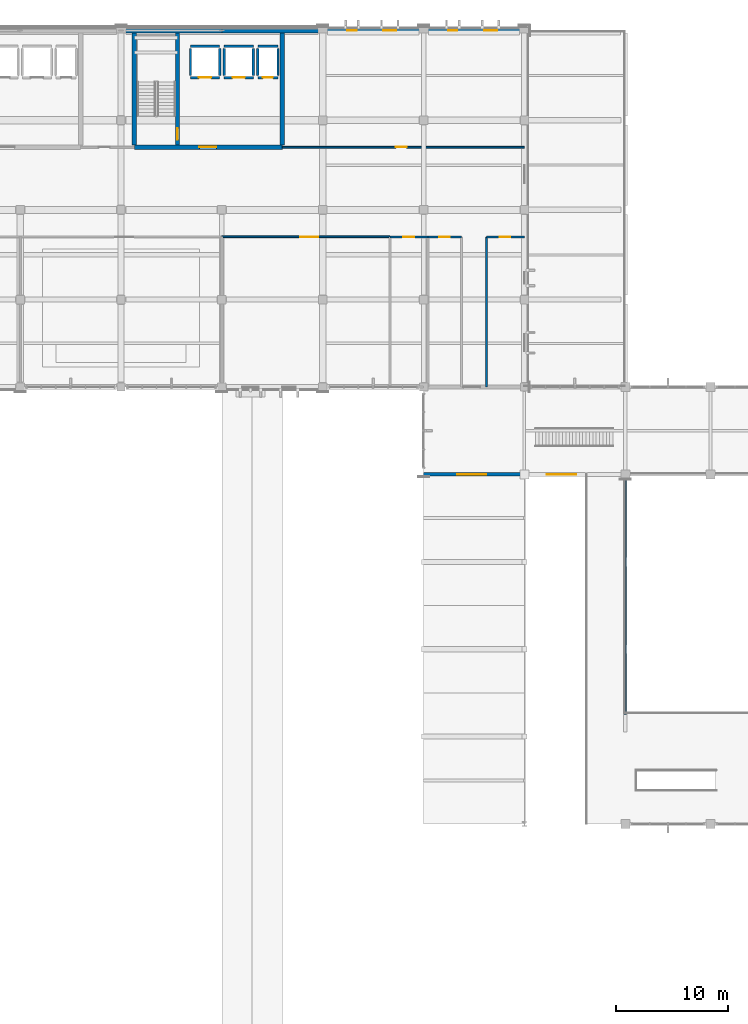
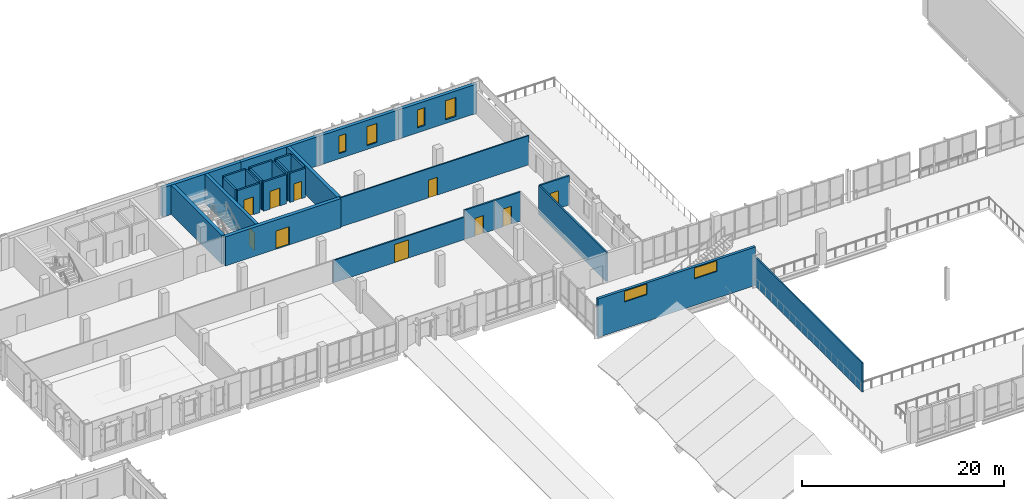
# One storey, part 44 of 64: 28 walls, 10 doors, 6 windows, 16 openings.
"""IFC4 building model written with IfcOpenShell, lengths in metres."""

import ifcopenshell
import ifcopenshell.guid

model = None  # the IFC model being written
_history = None  # IfcOwnerHistory: only IFC2X3 demands one
_inside = {}  # id of a spatial element -> (the spatial element, [elements in it])
_under = {}  # id of a project, library or spatial element -> (it, [spatial elements below it])
_declared = {}  # id of a project -> (the project, [libraries it declares])
_typed = {}  # id of a type object -> (the type object, [elements of that type])
_made_of = {}  # id of a material, layer set ... -> (it, [elements and type objects made of it])


def new_model(schema):
    """Start an empty IFC model of exactly this schema.

    Asked for "IFC4X3", IfcOpenShell would pick the latest addendum, in which some entities
    have other attributes; the version numbers below select the first issue.
    IFC2X3 requires an IfcOwnerHistory on every rooted entity: one is made here for all.
    """
    global model, _history
    if schema == "IFC4X3":
        model = ifcopenshell.file(schema_version=(4, 3, 0, 0))
    else:
        model = ifcopenshell.file(schema=schema)
    _inside.clear()
    _under.clear()
    _declared.clear()
    _typed.clear()
    _made_of.clear()
    _history = None
    if model.schema == "IFC2X3":
        org = make("IfcOrganization", Name="unknown")
        user = make(
            "IfcPersonAndOrganization",
            ThePerson=make("IfcPerson", FamilyName="unknown"),
            TheOrganization=org,
        )
        app = make(
            "IfcApplication",
            ApplicationDeveloper=org,
            Version="unknown",
            ApplicationFullName="unknown",
            ApplicationIdentifier="unknown",
        )
        _history = make(
            "IfcOwnerHistory",
            OwningUser=user,
            OwningApplication=app,
            ChangeAction="ADDED",
            CreationDate=0,
        )
    return model


def make(cls, **values):
    """One entity of the class cls with the attributes given. An attribute that is None is left unset."""
    return model.create_entity(
        cls, **{name: value for name, value in values.items() if value is not None}
    )


def rooted(cls, **values):
    """An entity with a GlobalId (a new one), such as an element, a storey or a relation."""
    return make(cls, GlobalId=ifcopenshell.guid.new(), OwnerHistory=_history, **values)


def si_unit(unit_type, name, prefix=None):
    """IfcSIUnit, for example si_unit("LENGTHUNIT", "METRE", prefix="MILLI")."""
    return make("IfcSIUnit", UnitType=unit_type, Prefix=prefix, Name=name)


def assignment(units):
    """IfcUnitAssignment: the units of a project."""
    return None if units is None else make("IfcUnitAssignment", Units=units)


def point(xyz):
    """IfcCartesianPoint."""
    return None if xyz is None else make("IfcCartesianPoint", Coordinates=xyz)


def direction(xyz):
    """IfcDirection."""
    return None if xyz is None else make("IfcDirection", DirectionRatios=xyz)


def frame(location, z_axis=None, x_axis=None):
    """IfcAxis2Placement3D, a coordinate frame: its origin and axes. An axis left out is left unset."""
    return make(
        "IfcAxis2Placement3D",
        Location=point(location),
        Axis=direction(z_axis),
        RefDirection=direction(x_axis),
    )


def frame_2d(location, x_axis=None):
    """IfcAxis2Placement2D, a coordinate frame in the plane: its origin and x axis."""
    return make(
        "IfcAxis2Placement2D", Location=point(location), RefDirection=direction(x_axis)
    )


def origin():
    """The frame at (0, 0, 0) with its axes left unset."""
    return frame((0.0, 0.0, 0.0))


def place(relative_to, where):
    """IfcLocalPlacement: puts the frame where relative to a parent placement (None: the world)."""
    return make(
        "IfcLocalPlacement", PlacementRelTo=relative_to, RelativePlacement=where
    )


def context(
    kind, dimensions, precision=None, world=None, true_north=None, identifier=None
):
    """IfcGeometricRepresentationContext, for example the 3D "Model" context."""
    return make(
        "IfcGeometricRepresentationContext",
        ContextIdentifier=identifier,
        ContextType=kind,
        CoordinateSpaceDimension=dimensions,
        Precision=precision,
        WorldCoordinateSystem=world,
        TrueNorth=true_north,
    )


def subcontext(parent, identifier, kind, view, scale=None):
    """IfcGeometricRepresentationSubContext, for example "Body" below "Model"."""
    return make(
        "IfcGeometricRepresentationSubContext",
        ContextIdentifier=identifier,
        ContextType=kind,
        ParentContext=parent,
        TargetScale=scale,
        TargetView=view,
    )


def project(units=None, contexts=None):
    """IfcProject with its units and contexts."""
    return rooted(
        "IfcProject",
        Name="project",
        RepresentationContexts=contexts,
        UnitsInContext=assignment(units),
    )


def spatial(cls, under=None, at=None, **own):
    """A site, building, storey or space (cls), placed at a placement, below another one or the project."""
    s = rooted(cls, ObjectPlacement=at, **own)
    if under is not None:
        _under.setdefault(under.id(), (under, []))[1].append(s)
    return s


def profile(cls, at=None, kind="AREA", **sizes):
    """A parametric profile (cls). Its sizes go by their IFC names, for example OverallWidth=200.0."""
    return make(cls, ProfileType=kind, Position=at, **sizes)


def rectangle(**sizes):
    """IfcRectangleProfileDef."""
    return profile("IfcRectangleProfileDef", **sizes)


def extrude(swept, where, along, depth):
    """IfcExtrudedAreaSolid: the profile swept, set in the frame where, extruded along a direction by depth."""
    return make(
        "IfcExtrudedAreaSolid",
        SweptArea=swept,
        Position=where,
        ExtrudedDirection=direction(along),
        Depth=depth,
    )


def shape(context_of_items, identifier, shape_type, items):
    """IfcShapeRepresentation: the items that make up one representation, for example the "Body"."""
    return make(
        "IfcShapeRepresentation",
        ContextOfItems=context_of_items,
        RepresentationIdentifier=identifier,
        RepresentationType=shape_type,
        Items=items,
    )


def material(Name=None, Category=None):
    """IfcMaterial."""
    return make("IfcMaterial", Name=Name, Category=Category)


def layer(
    of_material, thickness, ventilated=None, Name=None, Category=None, Priority=None
):
    """IfcMaterialLayer: one layer of a wall or slab, of a material (None: an air gap)."""
    return make(
        "IfcMaterialLayer",
        Material=of_material,
        LayerThickness=thickness,
        IsVentilated=ventilated,
        Name=Name,
        Category=Category,
        Priority=Priority,
    )


def layer_set(layers, Name=None):
    """IfcMaterialLayerSet."""
    return make("IfcMaterialLayerSet", MaterialLayers=layers, LayerSetName=Name)


def made_of(thing, what):
    """Note that an element or type object is made of a material, layer set ...; save() writes the relation."""
    if what is not None:
        _made_of.setdefault(what.id(), (what, []))[1].append(thing)
    return thing


def type_object(cls, material=None, **own):
    """A type object (cls), such as IfcWallType, which elements share."""
    return made_of(rooted(cls, **own), material)


def element(
    cls,
    number,
    at=None,
    inside=None,
    cuts=None,
    type_object=None,
    material=None,
    context=None,
    identifier="Body",
    shape_type=None,
    held_by="IfcProductDefinitionShape",
    body=None,
    shapes=None,
    **own,
):
    """One element of the class cls, such as IfcWall. Its Tag is "e" and its number.

    at: its placement. inside: the storey or other place that contains it. cuts: it is an
    opening in that element (IfcRelVoidsElement). A single representation is given by context,
    identifier, shape_type and body (its items); several are given by shapes. held_by: the class
    of the entity that holds the representations. save() writes the other relations.
    """
    e = rooted(cls, Tag="e%d" % number, ObjectPlacement=at, **own)
    if body is not None:
        shapes = [shape(context, identifier, shape_type, body)]
    if shapes is not None:
        e.Representation = make(held_by, Representations=shapes)
    if inside is not None:
        _inside.setdefault(inside.id(), (inside, []))[1].append(e)
    if cuts is not None:
        rooted(
            "IfcRelVoidsElement", RelatingBuildingElement=cuts, RelatedOpeningElement=e
        )
    if type_object is not None:
        _typed.setdefault(type_object.id(), (type_object, []))[1].append(e)
    return made_of(e, material)


def fill(opening, filler):
    """IfcRelFillsElement: the door or window that sits in an opening."""
    return rooted(
        "IfcRelFillsElement",
        RelatingOpeningElement=opening,
        RelatedBuildingElement=filler,
    )


def aggregate(whole, parts):
    """IfcRelAggregates: a whole, such as a stair, and the parts it consists of."""
    return rooted("IfcRelAggregates", RelatingObject=whole, RelatedObjects=parts)


def save(model, path):
    """Write the relations noted so far, then the file.

    IfcRelAggregates (storeys below a building ...), IfcRelContainedInSpatialStructure (elements
    in a storey), IfcRelDefinesByType, IfcRelAssociatesMaterial and IfcRelDeclares: one each for
    every whole, place, type object, material and project.
    """
    for whole, parts in _under.values():
        aggregate(whole, parts)
    for where, things in _inside.values():
        rooted(
            "IfcRelContainedInSpatialStructure",
            RelatedElements=things,
            RelatingStructure=where,
        )
    for kind, things in _typed.values():
        rooted("IfcRelDefinesByType", RelatedObjects=things, RelatingType=kind)
    for what, things in _made_of.values():
        rooted("IfcRelAssociatesMaterial", RelatedObjects=things, RelatingMaterial=what)
    for by, libraries in _declared.values():
        rooted("IfcRelDeclares", RelatingContext=by, RelatedDefinitions=libraries)
    model.write(path)


model = new_model("IFC4")

# Units and contexts
model_context = context("Model", 3, precision=1e-05, world=origin(), true_north=direction((0.0, 1.0)))
body_context = subcontext(model_context, "Body", "Model", "MODEL_VIEW")
ifc_project = project(units=[si_unit("LENGTHUNIT", "METRE"), si_unit("AREAUNIT", "SQUARE_METRE"), si_unit("VOLUMEUNIT", "CUBIC_METRE"), si_unit("PLANEANGLEUNIT", "RADIAN"), si_unit("MASSUNIT", "GRAM", prefix="KILO")], contexts=[model_context])

# Site, building, storey
site_placement = place(None, origin())
site = spatial("IfcSite", under=ifc_project, at=site_placement, CompositionType="ELEMENT")
building_placement = place(site_placement, origin())
building = spatial("IfcBuilding", under=site, at=building_placement, Name="Vervanel Yard Central Library", CompositionType="ELEMENT")
storey_placement = place(building_placement, frame((0.0, 0.0, 8.93994140625)))
storey = spatial("IfcBuildingStorey", under=building, at=storey_placement, Name="L02", CompositionType="ELEMENT", Elevation=8.93994140625)

# Wall, opening, door
ifc_material_1 = material(Name="Fire-rated gypsum board on steel studs", Category="steel")
ifc_layer_1 = layer(ifc_material_1, 0.159912109375, Category="steel")
ifc_layer_set_1 = layer_set([ifc_layer_1], Name="Fire-rated gypsum board on steel studs")
wall_type_1 = type_object("IfcWallType", Name="Acoustic Glazed Partition 160", PredefinedType="PARTITIONING", material=ifc_layer_set_1)
wall_1_placement = place(storey_placement, frame((72.0, 95.60009765625, 0.0), z_axis=(0.0, 0.0, 1.0), x_axis=(1.0, 0.0, 0.0)))
wall_1 = element("IfcWall", 1, at=wall_1_placement, inside=storey, type_object=wall_type_1, Name="L02 Acoustic Glazed Partition 160 IPART-L02-0074", PredefinedType="PARTITIONING", context=body_context, shape_type="SweptSolid", body=[
    extrude(rectangle(XDim=15.0, YDim=0.159912109375, at=frame_2d((7.5, 0.0))), origin(), (0.0, 0.0, 1.0), 2.705078125),
])
opening_1_placement = place(wall_1_placement, frame((7.0, 0.0, 0.0)))
opening_1 = element("IfcOpeningElement", 2, at=opening_1_placement, cuts=wall_1, Name="Opening DR-04", PredefinedType="OPENING", context=body_context, shape_type="SweptSolid", body=[
    extrude(rectangle(XDim=1.60009765625, YDim=2.199951171875, at=frame_2d((0.800048828125, 1.10009765625))), frame((0.0, 0.08984375, 0.0), z_axis=(0.0, -1.0, 0.0), x_axis=(1.0, 0.0, 0.0)), (0.0, 0.0, 1.0), 0.179931640625),
])
ifc_material_2 = material(Name="Solid white oak acoustic joinery", Category="wood")
door_type_1 = type_object("IfcDoorType", Name="Interior Double Reading Door 1600x2200", OperationType="NOTDEFINED", PredefinedType="DOOR", material=ifc_material_2)
door_1_placement = place(opening_1_placement, origin())
door_1 = element("IfcDoor", 3, at=door_1_placement, inside=storey, type_object=door_type_1, Name="L02 Interior Double Reading Door 1600x2200 IDOOR-L02-0060", OperationType="DOUBLE_DOOR_SINGLE_SWING", OverallHeight=2.199951171875, OverallWidth=1.60009765625, PredefinedType="DOOR", context=body_context, shape_type="SweptSolid", body=[
    extrude(rectangle(XDim=1.60009765625, YDim=2.199951171875, at=frame_2d((0.800048828125, 1.10009765625))), frame((0.0, 0.02490234375, 0.0), z_axis=(0.0, -1.0, 0.0), x_axis=(1.0, 0.0, 0.0)), (0.0, 0.0, 1.0), 0.050048828125),
])
fill(opening_1, door_1)

# Wall
wall_2_placement = place(storey_placement, frame((108.0, 53.0, 0.0), z_axis=(0.0, 0.0, 1.0), x_axis=(0.0, 1.0, 0.0)))
element("IfcWall", 4, at=wall_2_placement, inside=storey, type_object=wall_type_1, Name="L02 Acoustic Glazed Partition 160 IPART-RC2-L02-V3W", PredefinedType="PARTITIONING", context=body_context, shape_type="SweptSolid", body=[
    extrude(rectangle(XDim=21.39990234375, YDim=0.159912109375, at=frame_2d((10.699951171875, 0.0))), origin(), (0.0, 0.0, 1.0), 3.530029296875),
])

# Wall, openings, windows
ifc_material_3 = material(Name="Precast concrete C45/55", Category="concrete")
ifc_layer_2 = layer(ifc_material_3, 0.300048828125, Category="concrete")
ifc_layer_set_2 = layer_set([ifc_layer_2], Name="Precast concrete C45/55")
wall_type_2 = type_object("IfcWallType", Name="Bush-Hammered Precast Cladding Wall 300", PredefinedType="SOLIDWALL", material=ifc_layer_set_2)
wall_3_placement = place(storey_placement, frame((90.0, 74.39990234375, 0.0), z_axis=(0.0, 0.0, 1.0), x_axis=(1.0, 0.0, 0.0)))
wall_3 = element("IfcWall", 5, at=wall_3_placement, inside=storey, type_object=wall_type_2, Name="L02 Bush-Hammered Precast Cladding Wall 300 EWALL-L02-0160", PredefinedType="SOLIDWALL", context=body_context, shape_type="SweptSolid", body=[
    extrude(rectangle(XDim=18.0, YDim=0.300048828125, at=frame_2d((9.0, 0.0))), origin(), (0.0, 0.0, 1.0), 4.650146484375),
])
opening_2_placement = place(wall_3_placement, frame((3.0, 0.0, 3.22998046875)))
opening_2 = element("IfcOpeningElement", 6, at=opening_2_placement, cuts=wall_3, Name="Opening WN-18", PredefinedType="OPENING", context=body_context, shape_type="SweptSolid", body=[
    extrude(rectangle(XDim=2.60009765625, YDim=1.300048828125, at=frame_2d((1.300048828125, 0.64990234375))), frame((0.0, 0.159912109375, 0.0), z_axis=(0.0, -1.0, 0.0), x_axis=(1.0, 0.0, 0.0)), (0.0, 0.0, 1.0), 0.320068359375),
])
opening_3_placement = place(wall_3_placement, frame((11.0, 0.0, 3.22998046875)))
opening_3 = element("IfcOpeningElement", 7, at=opening_3_placement, cuts=wall_3, Name="Opening WN-18", PredefinedType="OPENING", context=body_context, shape_type="SweptSolid", body=[
    extrude(rectangle(XDim=2.60009765625, YDim=1.300048828125, at=frame_2d((1.300048828125, 0.64990234375))), frame((0.0, 0.159912109375, 0.0), z_axis=(0.0, -1.0, 0.0), x_axis=(1.0, 0.0, 0.0)), (0.0, 0.0, 1.0), 0.320068359375),
])
ifc_material_4 = material(Name="Double low-E laminated solar-control glass", Category="glass")
window_type_1 = type_object("IfcWindowType", Name="Monitor Clerestory Window 2600x1300", PartitioningType="SINGLE_PANEL", PredefinedType="WINDOW", material=ifc_material_4)
window_1_placement = place(opening_2_placement, origin())
window_1 = element("IfcWindow", 8, at=window_1_placement, inside=storey, type_object=window_type_1, Name="L02 Monitor Clerestory Window 2600x1300 211", OverallHeight=1.300048828125, OverallWidth=2.60009765625, PartitioningType="SINGLE_PANEL", PredefinedType="WINDOW", context=body_context, shape_type="SweptSolid", body=[
    extrude(rectangle(XDim=2.60009765625, YDim=1.300048828125, at=frame_2d((1.300048828125, 0.64990234375))), frame((0.0, 0.030029296875, 0.0), z_axis=(0.0, -1.0, 0.0), x_axis=(1.0, 0.0, 0.0)), (0.0, 0.0, 1.0), 0.06005859375),
])
fill(opening_2, window_1)
window_2_placement = place(opening_3_placement, origin())
window_2 = element("IfcWindow", 9, at=window_2_placement, inside=storey, type_object=window_type_1, Name="L02 Monitor Clerestory Window 2600x1300 212", OverallHeight=1.300048828125, OverallWidth=2.60009765625, PartitioningType="SINGLE_PANEL", PredefinedType="WINDOW", context=body_context, shape_type="SweptSolid", body=[
    extrude(rectangle(XDim=2.60009765625, YDim=1.300048828125, at=frame_2d((1.300048828125, 0.64990234375))), frame((0.0, 0.030029296875, 0.0), z_axis=(0.0, -1.0, 0.0), x_axis=(1.0, 0.0, 0.0)), (0.0, 0.0, 1.0), 0.06005859375),
])
fill(opening_3, window_2)

# Wall, opening, door
ifc_material_5 = material(Name="Concrete C45/55", Category="concrete")
ifc_layer_3 = layer(ifc_material_5, 0.39990234375, Category="concrete")
ifc_layer_set_3 = layer_set([ifc_layer_3], Name="Concrete C45/55")
wall_type_3 = type_object("IfcWallType", Name="Core Primary Shear Wall 400", PredefinedType="SHEAR", material=ifc_layer_set_3)
wall_4_placement = place(storey_placement, frame((64.199951171875, 103.60009765625, 0.0), z_axis=(0.0, 0.0, 1.0), x_axis=(1.0, 0.0, 0.0)))
wall_4 = element("IfcWall", 10, at=wall_4_placement, inside=storey, type_object=wall_type_3, Name="L02 CORE-B Shear Wall S", PredefinedType="SHEAR", context=body_context, shape_type="SweptSolid", body=[
    extrude(rectangle(XDim=13.199951171875, YDim=0.39990234375, at=frame_2d((6.60009765625, 0.0))), origin(), (0.0, 0.0, 1.0), 3.530029296875),
])
opening_4_placement = place(wall_4_placement, frame((5.800048828125, 0.0, 0.0)))
opening_4 = element("IfcOpeningElement", 11, at=opening_4_placement, cuts=wall_4, Name="Opening DR-F02", PredefinedType="OPENING", context=body_context, shape_type="SweptSolid", body=[
    extrude(rectangle(XDim=1.5, YDim=2.199951171875, at=frame_2d((0.75, 1.10009765625))), frame((0.0, 0.2099609375, 0.0), z_axis=(0.0, -1.0, 0.0), x_axis=(1.0, 0.0, 0.0)), (0.0, 0.0, 1.0), 0.419921875),
])
ifc_material_6 = material(Name="Galvanized painted steelwork ASTM A500 Grade C", Category="steel")
door_type_2 = type_object("IfcDoorType", Name="Fire-Rated Lobby Door 1500x2200", OperationType="NOTDEFINED", PredefinedType="DOOR", material=ifc_material_6)
door_2_placement = place(opening_4_placement, origin())
door_2 = element("IfcDoor", 12, at=door_2_placement, inside=storey, type_object=door_type_2, Name="L02 CORE-B Lobby Fire Door", OperationType="DOUBLE_DOOR_SINGLE_SWING", OverallHeight=2.199951171875, OverallWidth=1.5, PredefinedType="DOOR", context=body_context, shape_type="SweptSolid", body=[
    extrude(rectangle(XDim=1.5, YDim=2.199951171875, at=frame_2d((0.75, 1.10009765625))), frame((0.0, 0.02490234375, 0.0), z_axis=(0.0, -1.0, 0.0), x_axis=(1.0, 0.0, 0.0)), (0.0, 0.0, 1.0), 0.050048828125),
])
fill(opening_4, door_2)

# Walls
for number, where, z_axis, x_axis, name in (
    (13, (64.199951171875, 103.800048828125, 0.0), (0.0, 0.0, 1.0), (0.0, 1.0, 0.0), "L02 CORE-B Shear Wall W"),
    (14, (77.39990234375, 103.800048828125, 0.0), (0.0, 0.0, 1.0), (0.0, 1.0, 0.0), "L02 CORE-B Shear Wall E"),
):
    element("IfcWall", number, at=place(storey_placement, frame(where, z_axis=z_axis, x_axis=x_axis)), inside=storey, type_object=wall_type_3, Name=name, PredefinedType="SHEAR", context=body_context, shape_type="SweptSolid", body=[
        extrude(rectangle(XDim=10.010009765625, YDim=0.39990234375, at=frame_2d((5.0048828125, 0.0))), origin(), (0.0, 0.0, 1.0), 3.530029296875),
    ])

# Wall, opening, door
ifc_layer_4 = layer(ifc_material_5, 0.35009765625, Category="concrete")
ifc_layer_set_4 = layer_set([ifc_layer_4], Name="Concrete C45/55")
wall_type_4 = type_object("IfcWallType", Name="Core Secondary Shear Wall 350", PredefinedType="SHEAR", material=ifc_layer_set_4)
wall_5_placement = place(storey_placement, frame((68.02490234375, 103.800048828125, 0.0), z_axis=(0.0, 0.0, 1.0), x_axis=(0.0, 1.0, 0.0)))
wall_5 = element("IfcWall", 15, at=wall_5_placement, inside=storey, type_object=wall_type_4, Name="L02 CORE-B Stair Shaft Wall", PredefinedType="SHEAR", context=body_context, shape_type="SweptSolid", body=[
    extrude(rectangle(XDim=10.010009765625, YDim=0.35009765625, at=frame_2d((5.0048828125, 0.0))), origin(), (0.0, 0.0, 1.0), 3.530029296875),
])
opening_5_placement = place(wall_5_placement, frame((0.449951171875, 0.0, 0.0)))
opening_5 = element("IfcOpeningElement", 16, at=opening_5_placement, cuts=wall_5, Name="Opening DR-F01", PredefinedType="OPENING", context=body_context, shape_type="SweptSolid", body=[
    extrude(rectangle(XDim=1.050048828125, YDim=2.199951171875, at=frame_2d((0.52490234375, 1.10009765625))), frame((0.0, 0.18505859375, 0.0), z_axis=(0.0, -1.0, 0.0), x_axis=(1.0, 0.0, 0.0)), (0.0, 0.0, 1.0), 0.3701171875),
])
door_type_3 = type_object("IfcDoorType", Name="Fire-Rated Stair Exit Door 1050x2200", OperationType="NOTDEFINED", PredefinedType="DOOR", material=ifc_material_6)
door_3_placement = place(opening_5_placement, origin())
door_3 = element("IfcDoor", 17, at=door_3_placement, inside=storey, type_object=door_type_3, Name="L02 CORE-B Stair Door", OperationType="SINGLE_SWING_LEFT", OverallHeight=2.199951171875, OverallWidth=1.050048828125, PredefinedType="DOOR", context=body_context, shape_type="SweptSolid", body=[
    extrude(rectangle(XDim=1.050048828125, YDim=2.199951171875, at=frame_2d((0.52490234375, 1.10009765625))), frame((0.0, 0.02490234375, 0.0), z_axis=(0.0, -1.0, 0.0), x_axis=(1.0, 0.0, 0.0)), (0.0, 0.0, 1.0), 0.050048828125),
])
fill(opening_5, door_3)

# Walls
ifc_layer_5 = layer(ifc_material_5, 0.3798828125, Category="concrete")
ifc_layer_set_5 = layer_set([ifc_layer_5], Name="Concrete C45/55")
wall_type_5 = type_object("IfcWallType", Name="Exterior Bearing Concrete Spine Wall 380", PredefinedType="SOLIDWALL", material=ifc_layer_set_5)
for number, where, z_axis, x_axis, name in (
    (18, (63.0, 114.0, 0.0), (0.0, 0.0, 1.0), (1.0, 0.0, 0.0), "L02 Exterior Bearing Concrete Spine Wall 380 EWALL-L02-0035"),
    (19, (72.0, 114.0, 0.0), (0.0, 0.0, 1.0), (1.0, 0.0, 0.0), "L02 Exterior Bearing Concrete Spine Wall 380 EWALL-L02-0036"),
):
    element("IfcWall", number, at=place(storey_placement, frame(where, z_axis=z_axis, x_axis=x_axis)), inside=storey, type_object=wall_type_5, Name=name, PredefinedType="SOLIDWALL", context=body_context, shape_type="SweptSolid", body=[
        extrude(rectangle(XDim=9.0, YDim=0.3798828125, at=frame_2d((4.5, 0.0))), origin(), (0.0, 0.0, 1.0), 3.530029296875),
    ])

# Wall, openings, windows
wall_6_placement = place(storey_placement, frame((81.0, 114.0, 0.0), z_axis=(0.0, 0.0, 1.0), x_axis=(1.0, 0.0, 0.0)))
wall_6 = element("IfcWall", 20, at=wall_6_placement, inside=storey, type_object=wall_type_5, Name="L02 Exterior Bearing Concrete Spine Wall 380 EWALL-L02-0037", PredefinedType="SOLIDWALL", context=body_context, shape_type="SweptSolid", body=[
    extrude(rectangle(XDim=9.0, YDim=0.3798828125, at=frame_2d((4.5, 0.0))), origin(), (0.0, 0.0, 1.0), 3.530029296875),
])
opening_6_placement = place(wall_6_placement, frame((2.199951171875, 0.0, 0.614990234375)))
opening_6 = element("IfcOpeningElement", 21, at=opening_6_placement, cuts=wall_6, Name="Opening WN-21", PredefinedType="OPENING", context=body_context, shape_type="SweptSolid", body=[
    extrude(rectangle(XDim=0.820068359375, YDim=2.14990234375, at=frame_2d((0.41015625, 1.074951171875))), frame((0.0, 0.199951171875, 0.0), z_axis=(0.0, -1.0, 0.0), x_axis=(1.0, 0.0, 0.0)), (0.0, 0.0, 1.0), 0.39990234375),
])
opening_7_placement = place(wall_6_placement, frame((5.39990234375, 0.0, 0.465087890625)))
opening_7 = element("IfcOpeningElement", 22, at=opening_7_placement, cuts=wall_6, Name="Opening WN-19", PredefinedType="OPENING", context=body_context, shape_type="SweptSolid", body=[
    extrude(rectangle(XDim=1.14990234375, YDim=2.300048828125, at=frame_2d((0.574951171875, 1.14990234375))), frame((0.0, 0.199951171875, 0.0), z_axis=(0.0, -1.0, 0.0), x_axis=(1.0, 0.0, 0.0)), (0.0, 0.0, 1.0), 0.39990234375),
])
window_type_2 = type_object("IfcWindowType", Name="Reading Tall Slot Window 1150x2300", PartitioningType="SINGLE_PANEL", PredefinedType="WINDOW", material=ifc_material_4)
window_3_placement = place(opening_7_placement, origin())
window_3 = element("IfcWindow", 23, at=window_3_placement, inside=storey, type_object=window_type_2, Name="L02 Reading Tall Slot Window 1150x2300 48", OverallHeight=2.300048828125, OverallWidth=1.14990234375, PartitioningType="SINGLE_PANEL", PredefinedType="WINDOW", context=body_context, shape_type="SweptSolid", body=[
    extrude(rectangle(XDim=1.14990234375, YDim=2.300048828125, at=frame_2d((0.574951171875, 1.14990234375))), frame((0.0, 0.030029296875, 0.0), z_axis=(0.0, -1.0, 0.0), x_axis=(1.0, 0.0, 0.0)), (0.0, 0.0, 1.0), 0.06005859375),
])
fill(opening_7, window_3)
window_type_3 = type_object("IfcWindowType", Name="Stack UV Slot Window 820x2150", PartitioningType="SINGLE_PANEL", PredefinedType="WINDOW", material=ifc_material_4)
window_4_placement = place(opening_6_placement, origin())
window_4 = element("IfcWindow", 24, at=window_4_placement, inside=storey, type_object=window_type_3, Name="L02 Stack UV Slot Window 820x2150 47", OverallHeight=2.14990234375, OverallWidth=0.820068359375, PartitioningType="SINGLE_PANEL", PredefinedType="WINDOW", context=body_context, shape_type="SweptSolid", body=[
    extrude(rectangle(XDim=0.820068359375, YDim=2.14990234375, at=frame_2d((0.41015625, 1.074951171875))), frame((0.0, 0.030029296875, 0.0), z_axis=(0.0, -1.0, 0.0), x_axis=(1.0, 0.0, 0.0)), (0.0, 0.0, 1.0), 0.06005859375),
])
fill(opening_6, window_4)

wall_7_placement = place(storey_placement, frame((90.0, 114.0, 0.0), z_axis=(0.0, 0.0, 1.0), x_axis=(1.0, 0.0, 0.0)))
wall_7 = element("IfcWall", 25, at=wall_7_placement, inside=storey, type_object=wall_type_5, Name="L02 Exterior Bearing Concrete Spine Wall 380 EWALL-L02-0038", PredefinedType="SOLIDWALL", context=body_context, shape_type="SweptSolid", body=[
    extrude(rectangle(XDim=9.0, YDim=0.3798828125, at=frame_2d((4.5, 0.0))), origin(), (0.0, 0.0, 1.0), 3.530029296875),
])
opening_8_placement = place(wall_7_placement, frame((2.199951171875, 0.0, 0.60498046875)))
opening_8 = element("IfcOpeningElement", 26, at=opening_8_placement, cuts=wall_7, Name="Opening WN-21", PredefinedType="OPENING", context=body_context, shape_type="SweptSolid", body=[
    extrude(rectangle(XDim=0.820068359375, YDim=2.14990234375, at=frame_2d((0.41015625, 1.074951171875))), frame((0.0, 0.199951171875, 0.0), z_axis=(0.0, -1.0, 0.0), x_axis=(1.0, 0.0, 0.0)), (0.0, 0.0, 1.0), 0.39990234375),
])
opening_9_placement = place(wall_7_placement, frame((5.39990234375, 0.0, 0.455078125)))
opening_9 = element("IfcOpeningElement", 27, at=opening_9_placement, cuts=wall_7, Name="Opening WN-19", PredefinedType="OPENING", context=body_context, shape_type="SweptSolid", body=[
    extrude(rectangle(XDim=1.14990234375, YDim=2.300048828125, at=frame_2d((0.574951171875, 1.14990234375))), frame((0.0, 0.199951171875, 0.0), z_axis=(0.0, -1.0, 0.0), x_axis=(1.0, 0.0, 0.0)), (0.0, 0.0, 1.0), 0.39990234375),
])
window_5_placement = place(opening_9_placement, origin())
window_5 = element("IfcWindow", 28, at=window_5_placement, inside=storey, type_object=window_type_2, Name="L02 Reading Tall Slot Window 1150x2300 50", OverallHeight=2.300048828125, OverallWidth=1.14990234375, PartitioningType="SINGLE_PANEL", PredefinedType="WINDOW", context=body_context, shape_type="SweptSolid", body=[
    extrude(rectangle(XDim=1.14990234375, YDim=2.300048828125, at=frame_2d((0.574951171875, 1.14990234375))), frame((0.0, 0.030029296875, 0.0), z_axis=(0.0, -1.0, 0.0), x_axis=(1.0, 0.0, 0.0)), (0.0, 0.0, 1.0), 0.06005859375),
])
fill(opening_9, window_5)
window_6_placement = place(opening_8_placement, origin())
window_6 = element("IfcWindow", 29, at=window_6_placement, inside=storey, type_object=window_type_3, Name="L02 Stack UV Slot Window 820x2150 49", OverallHeight=2.14990234375, OverallWidth=0.820068359375, PartitioningType="SINGLE_PANEL", PredefinedType="WINDOW", context=body_context, shape_type="SweptSolid", body=[
    extrude(rectangle(XDim=0.820068359375, YDim=2.14990234375, at=frame_2d((0.41015625, 1.074951171875))), frame((0.0, 0.030029296875, 0.0), z_axis=(0.0, -1.0, 0.0), x_axis=(1.0, 0.0, 0.0)), (0.0, 0.0, 1.0), 0.06005859375),
])
fill(opening_8, window_6)

# Wall, opening, door
ifc_layer_6 = layer(ifc_material_1, 0.14990234375, Category="steel")
ifc_layer_set_6 = layer_set([ifc_layer_6], Name="Fire-rated gypsum board on steel studs")
wall_type_6 = type_object("IfcWallType", Name="Interior Partition 150", PredefinedType="PARTITIONING", material=ifc_layer_set_6)
wall_8_placement = place(storey_placement, frame((77.39990234375, 103.60009765625, 0.0), z_axis=(0.0, 0.0, 1.0), x_axis=(1.0, 0.0, 0.0)))
wall_8 = element("IfcWall", 30, at=wall_8_placement, inside=storey, type_object=wall_type_6, Name="L02 Interior Partition 150 IPART-L02-0085", PredefinedType="PARTITIONING", context=body_context, shape_type="SweptSolid", body=[
    extrude(rectangle(XDim=21.60009765625, YDim=0.14990234375, at=frame_2d((10.800048828125, 0.0))), origin(), (0.0, 0.0, 1.0), 3.530029296875),
])
opening_10_placement = place(wall_8_placement, frame((10.10009765625, 0.0, 0.0)))
opening_10 = element("IfcOpeningElement", 31, at=opening_10_placement, cuts=wall_8, Name="Opening DR-01", PredefinedType="OPENING", context=body_context, shape_type="SweptSolid", body=[
    extrude(rectangle(XDim=1.0, YDim=2.14990234375, at=frame_2d((0.5, 1.074951171875))), frame((0.0, 0.0849609375, 0.0), z_axis=(0.0, -1.0, 0.0), x_axis=(1.0, 0.0, 0.0)), (0.0, 0.0, 1.0), 0.169921875),
])
door_type_4 = type_object("IfcDoorType", Name="Interior Single Door 1000x2150", OperationType="NOTDEFINED", PredefinedType="DOOR", material=ifc_material_2)
door_4_placement = place(opening_10_placement, origin())
door_4 = element("IfcDoor", 32, at=door_4_placement, inside=storey, type_object=door_type_4, Name="L02 Interior Single Door 1000x2150 IDOOR-L02-0066", OperationType="SINGLE_SWING_LEFT", OverallHeight=2.14990234375, OverallWidth=1.0, PredefinedType="DOOR", context=body_context, shape_type="SweptSolid", body=[
    extrude(rectangle(XDim=1.0, YDim=2.14990234375, at=frame_2d((0.5, 1.074951171875))), frame((0.0, 0.02490234375, 0.0), z_axis=(0.0, -1.0, 0.0), x_axis=(1.0, 0.0, 0.0)), (0.0, 0.0, 1.0), 0.050048828125),
])
fill(opening_10, door_4)

ifc_layer_7 = layer(ifc_material_1, 0.179931640625, Category="steel")
ifc_layer_set_7 = layer_set([ifc_layer_7], Name="Fire-rated gypsum board on steel studs")
wall_type_7 = type_object("IfcWallType", Name="Plumbing Chase Wall 180", PredefinedType="PLUMBINGWALL", material=ifc_layer_set_7)
wall_9_placement = place(storey_placement, frame((87.0, 95.60009765625, 0.0), z_axis=(0.0, 0.0, 1.0), x_axis=(1.0, 0.0, 0.0)))
wall_9 = element("IfcWall", 33, at=wall_9_placement, inside=storey, type_object=wall_type_7, Name="L02 Plumbing Chase Wall 180 IPART-L02-0076", PredefinedType="PLUMBINGWALL", context=body_context, shape_type="SweptSolid", body=[
    extrude(rectangle(XDim=3.39990234375, YDim=0.179931640625, at=frame_2d((1.699951171875, 0.0))), origin(), (0.0, 0.0, 1.0), 3.530029296875),
])
opening_11_placement = place(wall_9_placement, frame((1.199951171875, 0.0, 0.0)))
opening_11 = element("IfcOpeningElement", 34, at=opening_11_placement, cuts=wall_9, Name="Opening DR-02", PredefinedType="OPENING", context=body_context, shape_type="SweptSolid", body=[
    extrude(rectangle(XDim=0.949951171875, YDim=2.14990234375, at=frame_2d((0.47509765625, 1.074951171875))), frame((0.0, 0.099853515625, 0.0), z_axis=(0.0, -1.0, 0.0), x_axis=(1.0, 0.0, 0.0)), (0.0, 0.0, 1.0), 0.199951171875),
])
door_type_5 = type_object("IfcDoorType", Name="Interior Accessible Restroom Door 950x2150", OperationType="NOTDEFINED", PredefinedType="DOOR", material=ifc_material_2)
door_5_placement = place(opening_11_placement, origin())
door_5 = element("IfcDoor", 35, at=door_5_placement, inside=storey, type_object=door_type_5, Name="L02 Interior Accessible Restroom Door 950x2150 IDOOR-L02-0061", OperationType="SINGLE_SWING_RIGHT", OverallHeight=2.14990234375, OverallWidth=0.949951171875, PredefinedType="DOOR", context=body_context, shape_type="SweptSolid", body=[
    extrude(rectangle(XDim=0.949951171875, YDim=2.14990234375, at=frame_2d((0.47509765625, 1.074951171875))), frame((0.0, 0.02490234375, 0.0), z_axis=(0.0, -1.0, 0.0), x_axis=(1.0, 0.0, 0.0)), (0.0, 0.0, 1.0), 0.050048828125),
])
fill(opening_11, door_5)

wall_10_placement = place(storey_placement, frame((90.39990234375, 95.60009765625, 0.0), z_axis=(0.0, 0.0, 1.0), x_axis=(1.0, 0.0, 0.0)))
wall_10 = element("IfcWall", 36, at=wall_10_placement, inside=storey, type_object=wall_type_7, Name="L02 Plumbing Chase Wall 180 IPART-L02-0078", PredefinedType="PLUMBINGWALL", context=body_context, shape_type="SweptSolid", body=[
    extrude(rectangle(XDim=3.0, YDim=0.179931640625, at=frame_2d((1.5, 0.0))), origin(), (0.0, 0.0, 1.0), 3.530029296875),
])
opening_12_placement = place(wall_10_placement, frame((1.0, 0.0, 0.0)))
opening_12 = element("IfcOpeningElement", 37, at=opening_12_placement, cuts=wall_10, Name="Opening DR-02", PredefinedType="OPENING", context=body_context, shape_type="SweptSolid", body=[
    extrude(rectangle(XDim=0.949951171875, YDim=2.14990234375, at=frame_2d((0.47509765625, 1.074951171875))), frame((0.0, 0.099853515625, 0.0), z_axis=(0.0, -1.0, 0.0), x_axis=(1.0, 0.0, 0.0)), (0.0, 0.0, 1.0), 0.199951171875),
])
door_6_placement = place(opening_12_placement, origin())
door_6 = element("IfcDoor", 38, at=door_6_placement, inside=storey, type_object=door_type_5, Name="L02 Interior Accessible Restroom Door 950x2150 IDOOR-L02-0062", OperationType="SINGLE_SWING_LEFT", OverallHeight=2.14990234375, OverallWidth=0.949951171875, PredefinedType="DOOR", context=body_context, shape_type="SweptSolid", body=[
    extrude(rectangle(XDim=0.949951171875, YDim=2.14990234375, at=frame_2d((0.47509765625, 1.074951171875))), frame((0.0, 0.02490234375, 0.0), z_axis=(0.0, -1.0, 0.0), x_axis=(1.0, 0.0, 0.0)), (0.0, 0.0, 1.0), 0.050048828125),
])
fill(opening_12, door_6)

wall_11_placement = place(storey_placement, frame((95.60009765625, 95.60009765625, 0.0), z_axis=(0.0, 0.0, 1.0), x_axis=(1.0, 0.0, 0.0)))
wall_11 = element("IfcWall", 39, at=wall_11_placement, inside=storey, type_object=wall_type_7, Name="L02 Plumbing Chase Wall 180 IPART-L02-0081", PredefinedType="PLUMBINGWALL", context=body_context, shape_type="SweptSolid", body=[
    extrude(rectangle(XDim=3.39990234375, YDim=0.179931640625, at=frame_2d((1.699951171875, 0.0))), origin(), (0.0, 0.0, 1.0), 3.530029296875),
])
opening_13_placement = place(wall_11_placement, frame((1.199951171875, 0.0, 0.0)))
opening_13 = element("IfcOpeningElement", 40, at=opening_13_placement, cuts=wall_11, Name="Opening DR-02", PredefinedType="OPENING", context=body_context, shape_type="SweptSolid", body=[
    extrude(rectangle(XDim=0.949951171875, YDim=2.14990234375, at=frame_2d((0.47509765625, 1.074951171875))), frame((0.0, 0.099853515625, 0.0), z_axis=(0.0, -1.0, 0.0), x_axis=(1.0, 0.0, 0.0)), (0.0, 0.0, 1.0), 0.199951171875),
])
door_7_placement = place(opening_13_placement, origin())
door_7 = element("IfcDoor", 41, at=door_7_placement, inside=storey, type_object=door_type_5, Name="L02 Interior Accessible Restroom Door 950x2150 IDOOR-L02-0063", OperationType="SINGLE_SWING_RIGHT", OverallHeight=2.14990234375, OverallWidth=0.949951171875, PredefinedType="DOOR", context=body_context, shape_type="SweptSolid", body=[
    extrude(rectangle(XDim=0.949951171875, YDim=2.14990234375, at=frame_2d((0.47509765625, 1.074951171875))), frame((0.0, 0.02490234375, 0.0), z_axis=(0.0, -1.0, 0.0), x_axis=(1.0, 0.0, 0.0)), (0.0, 0.0, 1.0), 0.050048828125),
])
fill(opening_13, door_7)

# Wall
wall_12_placement = place(storey_placement, frame((95.60009765625, 82.199951171875, 0.0), z_axis=(0.0, 0.0, 1.0), x_axis=(0.0, 1.0, 0.0)))
element("IfcWall", 42, at=wall_12_placement, inside=storey, type_object=wall_type_7, Name="L02 Plumbing Chase Wall 180 IPART-L02-0082", PredefinedType="PLUMBINGWALL", context=body_context, shape_type="SweptSolid", body=[
    extrude(rectangle(XDim=13.400146484375, YDim=0.179931640625, at=frame_2d((6.7001953125, 0.0))), origin(), (0.0, 0.0, 1.0), 3.530029296875),
])

# Wall, opening, door
ifc_material_7 = material(Name="Concrete C40/50", Category="concrete")
ifc_layer_8 = layer(ifc_material_7, 0.199951171875, Category="concrete")
ifc_layer_set_8 = layer_set([ifc_layer_8], Name="Concrete C40/50")
wall_type_8 = type_object("IfcWallType", Name="Shaft & Plant Rated Wall 200", PredefinedType="PARTITIONING", material=ifc_layer_set_8)
wall_13_placement = place(storey_placement, frame((69.199951171875, 109.800048828125, 0.0), z_axis=(0.0, 0.0, 1.0), x_axis=(1.0, 0.0, 0.0)))
wall_13 = element("IfcWall", 43, at=wall_13_placement, inside=storey, type_object=wall_type_8, Name="L02 CORE-B-L02-EL-03 Shaft Wall S", PredefinedType="PARTITIONING", context=body_context, shape_type="SweptSolid", body=[
    extrude(rectangle(XDim=2.60009765625, YDim=0.199951171875, at=frame_2d((1.300048828125, 0.0))), origin(), (0.0, 0.0, 1.0), 3.530029296875),
])
opening_14_placement = place(wall_13_placement, frame((0.75, 0.0, 0.0)))
opening_14 = element("IfcOpeningElement", 44, at=opening_14_placement, cuts=wall_13, Name="Opening LD-01", PredefinedType="OPENING", context=body_context, shape_type="SweptSolid", body=[
    extrude(rectangle(XDim=1.10009765625, YDim=2.14990234375, at=frame_2d((0.550048828125, 1.074951171875))), frame((0.0, 0.10986328125, 0.0), z_axis=(0.0, -1.0, 0.0), x_axis=(1.0, 0.0, 0.0)), (0.0, 0.0, 1.0), 0.219970703125),
])
ifc_material_8 = material(Name="Brushed stainless steel AISI 316", Category="steel")
door_type_6 = type_object("IfcDoorType", Name="Passenger Lift Sliding Landing Door 1100x2150", OperationType="NOTDEFINED", PredefinedType="DOOR", material=ifc_material_8)
door_8_placement = place(opening_14_placement, origin())
door_8 = element("IfcDoor", 45, at=door_8_placement, inside=storey, type_object=door_type_6, Name="L02 Lift EL-03 Landing Door", OperationType="SLIDING_TO_LEFT", OverallHeight=2.14990234375, OverallWidth=1.10009765625, PredefinedType="DOOR", context=body_context, shape_type="SweptSolid", body=[
    extrude(rectangle(XDim=1.10009765625, YDim=2.14990234375, at=frame_2d((0.550048828125, 1.074951171875))), frame((0.0, 0.02490234375, 0.0), z_axis=(0.0, -1.0, 0.0), x_axis=(1.0, 0.0, 0.0)), (0.0, 0.0, 1.0), 0.050048828125),
])
fill(opening_14, door_8)

# Walls
wall_14_placement = place(storey_placement, frame((69.199951171875, 112.60009765625, 0.0), z_axis=(0.0, 0.0, 1.0), x_axis=(1.0, 0.0, 0.0)))
element("IfcWall", 46, at=wall_14_placement, inside=storey, type_object=wall_type_8, Name="L02 CORE-B-L02-EL-03 Shaft Wall N", PredefinedType="PARTITIONING", context=body_context, shape_type="SweptSolid", body=[
    extrude(rectangle(XDim=2.60009765625, YDim=0.199951171875, at=frame_2d((1.300048828125, 0.0))), origin(), (0.0, 0.0, 1.0), 3.530029296875),
])
for number, where, z_axis, x_axis, name in (
    (47, (69.199951171875, 110.0, 0.0), (0.0, 0.0, 1.0), (0.0, 1.0, 0.0), "L02 CORE-B-L02-EL-03 Shaft Wall W"),
    (48, (71.800048828125, 110.0, 0.0), (0.0, 0.0, 1.0), (0.0, 1.0, 0.0), "L02 CORE-B-L02-EL-03 Shaft Wall E"),
):
    element("IfcWall", number, at=place(storey_placement, frame(where, z_axis=z_axis, x_axis=x_axis)), inside=storey, type_object=wall_type_8, Name=name, PredefinedType="PARTITIONING", context=body_context, shape_type="SweptSolid", body=[
        extrude(rectangle(XDim=2.39990234375, YDim=0.199951171875, at=frame_2d((1.199951171875, 0.0))), origin(), (0.0, 0.0, 1.0), 3.530029296875),
    ])

# Wall, opening, door
wall_15_placement = place(storey_placement, frame((72.199951171875, 109.800048828125, 0.0), z_axis=(0.0, 0.0, 1.0), x_axis=(1.0, 0.0, 0.0)))
wall_15 = element("IfcWall", 49, at=wall_15_placement, inside=storey, type_object=wall_type_8, Name="L02 CORE-B-L02-EL-04 Shaft Wall S", PredefinedType="PARTITIONING", context=body_context, shape_type="SweptSolid", body=[
    extrude(rectangle(XDim=2.60009765625, YDim=0.199951171875, at=frame_2d((1.300048828125, 0.0))), origin(), (0.0, 0.0, 1.0), 3.530029296875),
])
opening_15_placement = place(wall_15_placement, frame((0.75, 0.0, 0.0)))
opening_15 = element("IfcOpeningElement", 50, at=opening_15_placement, cuts=wall_15, Name="Opening LD-01", PredefinedType="OPENING", context=body_context, shape_type="SweptSolid", body=[
    extrude(rectangle(XDim=1.10009765625, YDim=2.14990234375, at=frame_2d((0.550048828125, 1.074951171875))), frame((0.0, 0.10986328125, 0.0), z_axis=(0.0, -1.0, 0.0), x_axis=(1.0, 0.0, 0.0)), (0.0, 0.0, 1.0), 0.219970703125),
])
door_9_placement = place(opening_15_placement, origin())
door_9 = element("IfcDoor", 51, at=door_9_placement, inside=storey, type_object=door_type_6, Name="L02 Lift EL-04 Landing Door", OperationType="SLIDING_TO_RIGHT", OverallHeight=2.14990234375, OverallWidth=1.10009765625, PredefinedType="DOOR", context=body_context, shape_type="SweptSolid", body=[
    extrude(rectangle(XDim=1.10009765625, YDim=2.14990234375, at=frame_2d((0.550048828125, 1.074951171875))), frame((0.0, 0.02490234375, 0.0), z_axis=(0.0, -1.0, 0.0), x_axis=(1.0, 0.0, 0.0)), (0.0, 0.0, 1.0), 0.050048828125),
])
fill(opening_15, door_9)

# Walls
wall_16_placement = place(storey_placement, frame((72.199951171875, 112.60009765625, 0.0), z_axis=(0.0, 0.0, 1.0), x_axis=(1.0, 0.0, 0.0)))
element("IfcWall", 52, at=wall_16_placement, inside=storey, type_object=wall_type_8, Name="L02 CORE-B-L02-EL-04 Shaft Wall N", PredefinedType="PARTITIONING", context=body_context, shape_type="SweptSolid", body=[
    extrude(rectangle(XDim=2.60009765625, YDim=0.199951171875, at=frame_2d((1.300048828125, 0.0))), origin(), (0.0, 0.0, 1.0), 3.530029296875),
])
for number, where, z_axis, x_axis, name in (
    (53, (72.199951171875, 110.0, 0.0), (0.0, 0.0, 1.0), (0.0, 1.0, 0.0), "L02 CORE-B-L02-EL-04 Shaft Wall W"),
    (54, (74.800048828125, 110.0, 0.0), (0.0, 0.0, 1.0), (0.0, 1.0, 0.0), "L02 CORE-B-L02-EL-04 Shaft Wall E"),
):
    element("IfcWall", number, at=place(storey_placement, frame(where, z_axis=z_axis, x_axis=x_axis)), inside=storey, type_object=wall_type_8, Name=name, PredefinedType="PARTITIONING", context=body_context, shape_type="SweptSolid", body=[
        extrude(rectangle(XDim=2.39990234375, YDim=0.199951171875, at=frame_2d((1.199951171875, 0.0))), origin(), (0.0, 0.0, 1.0), 3.530029296875),
    ])

# Wall, opening, door
wall_17_placement = place(storey_placement, frame((75.199951171875, 109.800048828125, 0.0), z_axis=(0.0, 0.0, 1.0), x_axis=(1.0, 0.0, 0.0)))
wall_17 = element("IfcWall", 55, at=wall_17_placement, inside=storey, type_object=wall_type_8, Name="L02 CORE-B-L02-RIS Shaft Wall S", PredefinedType="PARTITIONING", context=body_context, shape_type="SweptSolid", body=[
    extrude(rectangle(XDim=1.800048828125, YDim=0.199951171875, at=frame_2d((0.89990234375, 0.0))), origin(), (0.0, 0.0, 1.0), 3.530029296875),
])
opening_16_placement = place(wall_17_placement, frame((0.449951171875, 0.0, 0.0)))
opening_16 = element("IfcOpeningElement", 56, at=opening_16_placement, cuts=wall_17, Name="Opening DR-03", PredefinedType="OPENING", context=body_context, shape_type="SweptSolid", body=[
    extrude(rectangle(XDim=0.89990234375, YDim=2.10009765625, at=frame_2d((0.449951171875, 1.050048828125))), frame((0.0, 0.10986328125, 0.0), z_axis=(0.0, -1.0, 0.0), x_axis=(1.0, 0.0, 0.0)), (0.0, 0.0, 1.0), 0.219970703125),
])
door_type_7 = type_object("IfcDoorType", Name="Interior Riser Access Door 900x2100", OperationType="NOTDEFINED", PredefinedType="DOOR", material=ifc_material_6)
door_10_placement = place(opening_16_placement, origin())
door_10 = element("IfcDoor", 57, at=door_10_placement, inside=storey, type_object=door_type_7, Name="L02 CORE-B Riser Access Door", OperationType="SINGLE_SWING_RIGHT", OverallHeight=2.10009765625, OverallWidth=0.89990234375, PredefinedType="DOOR", context=body_context, shape_type="SweptSolid", body=[
    extrude(rectangle(XDim=0.89990234375, YDim=2.10009765625, at=frame_2d((0.449951171875, 1.050048828125))), frame((0.0, 0.02490234375, 0.0), z_axis=(0.0, -1.0, 0.0), x_axis=(1.0, 0.0, 0.0)), (0.0, 0.0, 1.0), 0.050048828125),
])
fill(opening_16, door_10)

# Walls
wall_18_placement = place(storey_placement, frame((75.199951171875, 112.60009765625, 0.0), z_axis=(0.0, 0.0, 1.0), x_axis=(1.0, 0.0, 0.0)))
element("IfcWall", 58, at=wall_18_placement, inside=storey, type_object=wall_type_8, Name="L02 CORE-B-L02-RIS Shaft Wall N", PredefinedType="PARTITIONING", context=body_context, shape_type="SweptSolid", body=[
    extrude(rectangle(XDim=1.800048828125, YDim=0.199951171875, at=frame_2d((0.89990234375, 0.0))), origin(), (0.0, 0.0, 1.0), 3.530029296875),
])
for number, where, z_axis, x_axis, name in (
    (59, (75.199951171875, 110.0, 0.0), (0.0, 0.0, 1.0), (0.0, 1.0, 0.0), "L02 CORE-B-L02-RIS Shaft Wall W"),
    (60, (77.0, 110.0, 0.0), (0.0, 0.0, 1.0), (0.0, 1.0, 0.0), "L02 CORE-B-L02-RIS Shaft Wall E"),
):
    element("IfcWall", number, at=place(storey_placement, frame(where, z_axis=z_axis, x_axis=x_axis)), inside=storey, type_object=wall_type_8, Name=name, PredefinedType="PARTITIONING", context=body_context, shape_type="SweptSolid", body=[
        extrude(rectangle(XDim=2.39990234375, YDim=0.199951171875, at=frame_2d((1.199951171875, 0.0))), origin(), (0.0, 0.0, 1.0), 3.530029296875),
    ])

save(model, "model.ifc")
